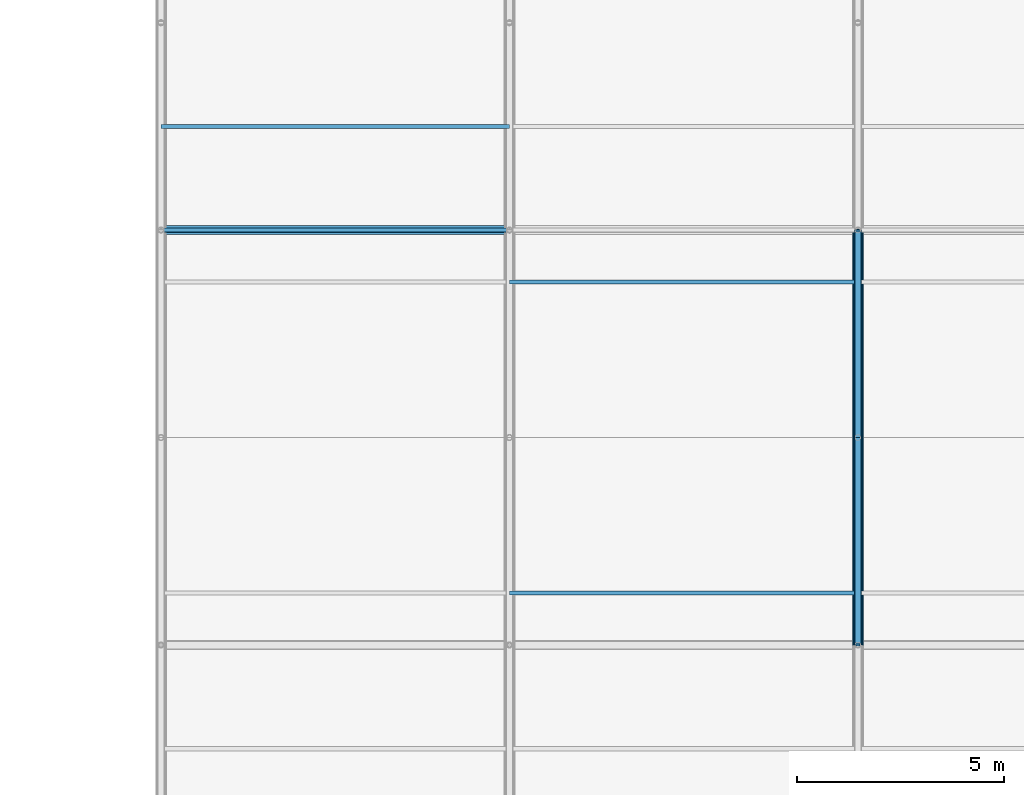
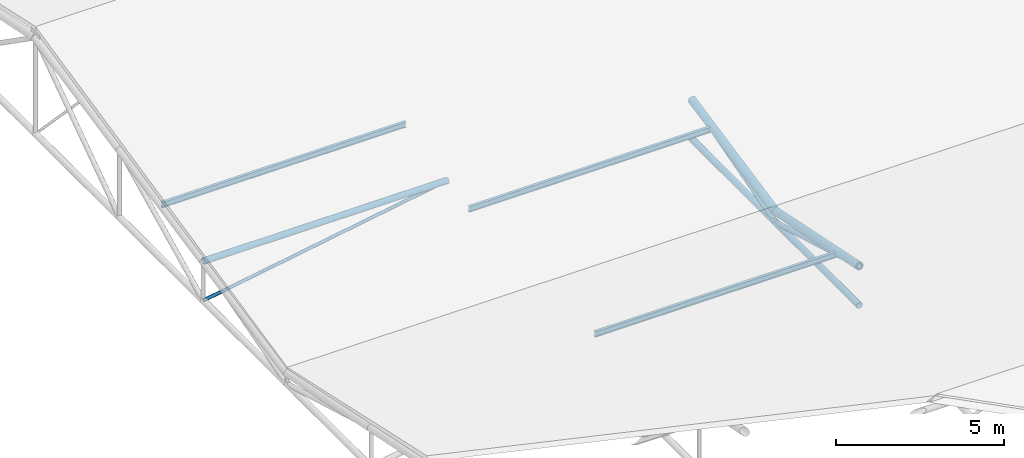
# One storey, part 10 of 194: 8 members, 3 beams.
"""IFC4 building model written with IfcOpenShell, lengths in metres."""

from ifc_helpers import new_model, si_unit, direction, frame, origin, origin_2d, place, context, subcontext, project, spatial, hollow_circle, i_section, extrude, material, material_profile, profile_set, type_object, element, save


model = new_model("IFC4")

# Units and contexts
model_context = context("Model", 3, precision=1e-05, world=origin(), true_north=direction((0.0, 1.0)))
body_context = subcontext(model_context, "Body", "Model", "MODEL_VIEW")
ifc_project = project(units=[si_unit("LENGTHUNIT", "METRE"), si_unit("AREAUNIT", "SQUARE_METRE"), si_unit("VOLUMEUNIT", "CUBIC_METRE"), si_unit("PLANEANGLEUNIT", "RADIAN"), si_unit("MASSUNIT", "GRAM", prefix="KILO")], contexts=[model_context])

# Site, building, storey
site_placement = place(None, origin())
site = spatial("IfcSite", under=ifc_project, at=site_placement, CompositionType="ELEMENT")
building_placement = place(site_placement, origin())
building = spatial("IfcBuilding", under=site, at=building_placement, Name="Kazenagashi Tramway Depot", CompositionType="ELEMENT")
storey_placement = place(building_placement, frame((0.0, 0.0, 23.7)))
storey = spatial("IfcBuildingStorey", under=building, at=storey_placement, Name="ROOF", CompositionType="ELEMENT", Elevation=23.7)

# Beams
ifc_material_1 = material(Name="Steel SN400B", Category="steel")
ifc_material_profile_1 = material_profile(ifc_material_1, i_section(OverallWidth=0.1, OverallDepth=0.2, WebThickness=0.0055, FlangeThickness=0.008, at=origin_2d()), Name="H-200x100x5.5x8")
ifc_profile_set_1 = profile_set([ifc_material_profile_1], Name="Steel SN400B")
beam_type = type_object("IfcBeamType", Name="PR-01", PredefinedType="USERDEFINED", material=ifc_profile_set_1)
for number, where, z_axis, x_axis, name in (
    (1, (53.2, 96.25, -12.955), (1.0, 0.0, 0.0), (0.0, 1.0, 0.0), "Beam PR-01 BM-2109"),
    (2, (53.2, 103.75, -12.955), (1.0, 0.0, 0.0), (0.0, 1.0, 0.0), "Beam PR-01 BM-2127"),
    (3, (44.8, 107.5, -12.13), (1.0, 0.0, 0.0), (0.0, 1.0, 0.0), "Beam PR-01 BM-2144"),
):
    element("IfcBeam", number, at=place(storey_placement, frame(where, z_axis=z_axis, x_axis=x_axis)), inside=storey, type_object=beam_type, Name=name, ObjectType="PURLIN", PredefinedType="USERDEFINED", context=body_context, shape_type="SweptSolid", body=[
        extrude(i_section(OverallWidth=0.1, OverallDepth=0.2, WebThickness=0.0055, FlangeThickness=0.008, at=origin_2d()), origin(), (0.0, 0.0, 1.0), 8.4),
    ])

# Members
ifc_material_2 = material(Name="Steel STK490", Category="steel")
ifc_material_profile_2 = material_profile(ifc_material_2, hollow_circle(Radius=0.1337, WallThickness=0.0093, at=origin_2d()), Name="CHS-267.4x9.3")
ifc_profile_set_2 = profile_set([ifc_material_profile_2], Name="Steel STK490")
member_type_1 = type_object("IfcMemberType", Name="TC-01", PredefinedType="CHORD", material=ifc_profile_set_2)
for number, where, z_axis, x_axis, name in (
    (4, (61.6, 95.0, -12.667), (0.0, 0.979317999984, -0.202327098797), (-1.0, 0.0, 0.0), "Tubular Space Frame TC-01 MEM-0138"),
    (5, (61.6, 100.0, -13.7), (0.0, 0.979317999984, 0.202327098797), (-1.0, 0.0, 0.0), "Tubular Space Frame TC-01 MEM-0154"),
):
    element("IfcMember", number, at=place(storey_placement, frame(where, z_axis=z_axis, x_axis=x_axis)), inside=storey, type_object=member_type_1, Name=name, PredefinedType="CHORD", context=body_context, shape_type="SweptSolid", body=[
        extrude(hollow_circle(Radius=0.1337, WallThickness=0.0093, at=origin_2d()), origin(), (0.0, 0.0, 1.0), 5.105594),
    ])
ifc_material_profile_3 = material_profile(ifc_material_2, hollow_circle(Radius=0.10815, WallThickness=0.0082, at=origin_2d()), Name="CHS-216.3x8.2")
ifc_profile_set_3 = profile_set([ifc_material_profile_3], Name="Steel STK490")
member_type_2 = type_object("IfcMemberType", Name="TC-02", PredefinedType="CHORD", material=ifc_profile_set_3)
member_1_placement = place(storey_placement, frame((44.8, 105.0, -12.667), z_axis=(1.0, 0.0, 0.0), x_axis=(0.0, 1.0, 0.0)))
element("IfcMember", 6, at=member_1_placement, inside=storey, type_object=member_type_2, Name="Tubular Space Frame TC-02 MEM-0056", PredefinedType="CHORD", context=body_context, shape_type="SweptSolid", body=[
    extrude(hollow_circle(Radius=0.10815, WallThickness=0.0082, at=origin_2d()), origin(), (0.0, 0.0, 1.0), 8.4),
])
for number, where, z_axis, x_axis, name in (
    (7, (61.6, 95.0, -14.1), (0.0, 1.0, 0.0), (-1.0, 0.0, 0.0), "Tubular Space Frame TC-02 MEM-0139"),
    (8, (61.6, 100.0, -14.1), (0.0, 1.0, 0.0), (-1.0, 0.0, 0.0), "Tubular Space Frame TC-02 MEM-0155"),
):
    element("IfcMember", number, at=place(storey_placement, frame(where, z_axis=z_axis, x_axis=x_axis)), inside=storey, type_object=member_type_2, Name=name, PredefinedType="CHORD", context=body_context, shape_type="SweptSolid", body=[
        extrude(hollow_circle(Radius=0.10815, WallThickness=0.0082, at=origin_2d()), origin(), (0.0, 0.0, 1.0), 5.0),
    ])
ifc_material_profile_4 = material_profile(ifc_material_2, hollow_circle(Radius=0.0826, WallThickness=0.0071, at=origin_2d()), Name="CHS-165.2x7.1")
ifc_profile_set_4 = profile_set([ifc_material_profile_4], Name="Steel STK490")
member_type_3 = type_object("IfcMemberType", Name="TS-01", PredefinedType="STRUT", material=ifc_profile_set_4)
for number, where, z_axis, x_axis, name in (
    (9, (61.6, 95.0, -12.667), (0.0, 0.961298717795, -0.27550821252), (-1.0, 0.0, 0.0), "Tubular Space Frame TS-01 MEM-0140"),
    (10, (61.6, 100.0, -14.1), (0.0, 0.961298717795, 0.27550821252), (-1.0, 0.0, 0.0), "Tubular Space Frame TS-01 MEM-0156"),
):
    element("IfcMember", number, at=place(storey_placement, frame(where, z_axis=z_axis, x_axis=x_axis)), inside=storey, type_object=member_type_3, Name=name, PredefinedType="STRUT", context=body_context, shape_type="SweptSolid", body=[
        extrude(hollow_circle(Radius=0.0826, WallThickness=0.0071, at=origin_2d()), origin(), (0.0, 0.0, 1.0), 5.201297),
    ])
ifc_material_3 = material(Name="Steel STK400", Category="steel")
ifc_material_profile_5 = material_profile(ifc_material_3, hollow_circle(Radius=0.05715, WallThickness=0.0045, at=origin_2d()), Name="CHS-114.3x4.5")
ifc_profile_set_5 = profile_set([ifc_material_profile_5], Name="Steel STK400")
member_type_4 = type_object("IfcMemberType", Name="TS-03", PredefinedType="STRUT", material=ifc_profile_set_5)
member_2_placement = place(storey_placement, frame((44.8, 105.0, -14.1), z_axis=(0.985758734117, 0.0, 0.168165745951), x_axis=(0.0, 1.0, 0.0)))
element("IfcMember", 11, at=member_2_placement, inside=storey, type_object=member_type_4, Name="Tubular Space Frame TS-03 MEM-0057", PredefinedType="STRUT", context=body_context, shape_type="SweptSolid", body=[
    extrude(hollow_circle(Radius=0.05715, WallThickness=0.0045, at=origin_2d()), origin(), (0.0, 0.0, 1.0), 8.521355),
])

save(model, "model.ifc")
